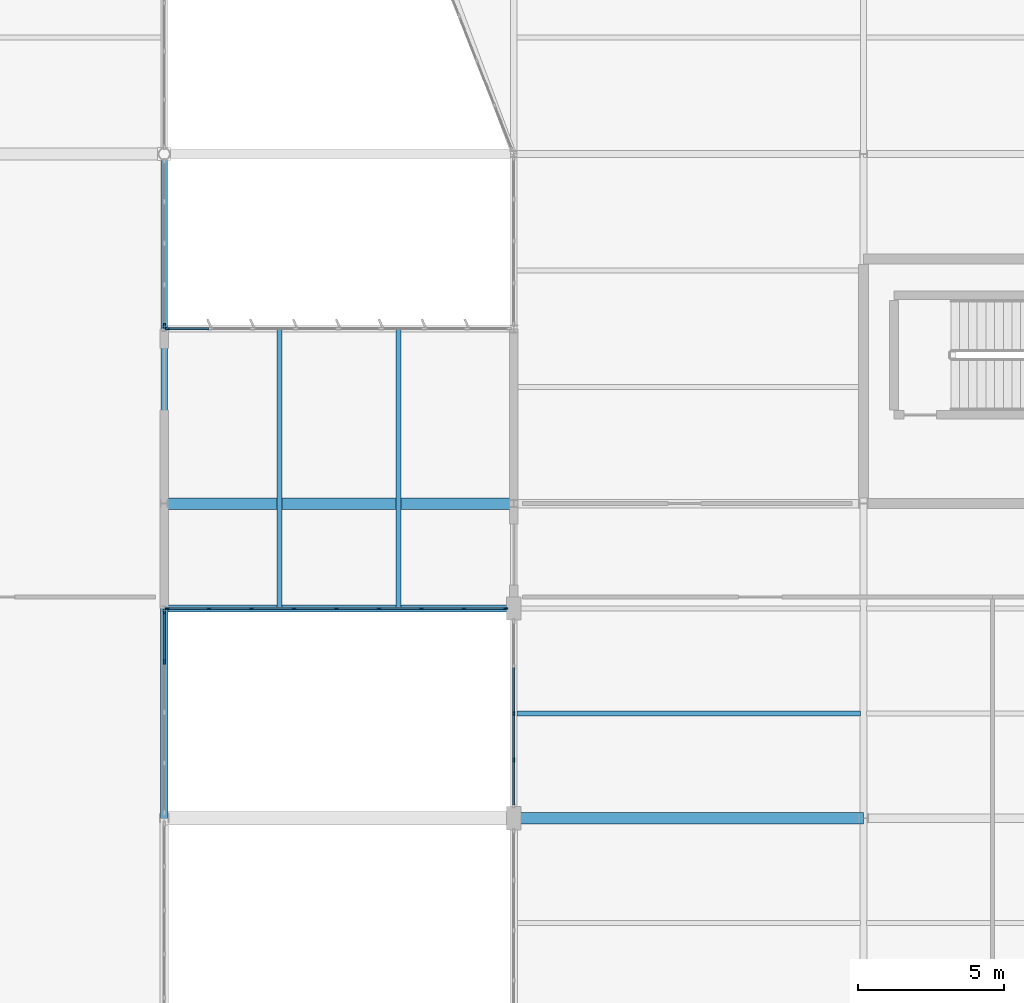
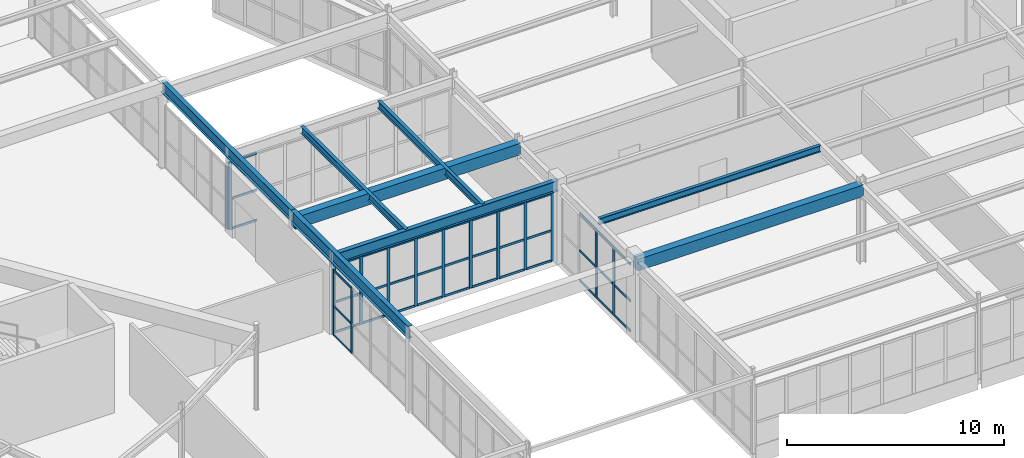
# One storey, part 86 of 186: 54 members, 8 beams, 5 elements without a shape of their own.
"""IFC4 building model written with IfcOpenShell, lengths in metres."""

from ifc_helpers import new_model, si_unit, direction, frame, origin, origin_2d, place, context, subcontext, project, spatial, rectangle, i_section, extrude, material, layer, layer_set, material_profile, profile_set, type_object, element, aggregate, save


model = new_model("IFC4")

# Units and contexts
model_context = context("Model", 3, precision=1e-05, world=origin(), true_north=direction((0.0, 1.0)))
body_context = subcontext(model_context, "Body", "Model", "MODEL_VIEW")
ifc_project = project(units=[si_unit("LENGTHUNIT", "METRE"), si_unit("AREAUNIT", "SQUARE_METRE"), si_unit("VOLUMEUNIT", "CUBIC_METRE"), si_unit("PLANEANGLEUNIT", "RADIAN"), si_unit("MASSUNIT", "GRAM", prefix="KILO")], contexts=[model_context])

# Site, building, storey
site_placement = place(None, origin())
site = spatial("IfcSite", under=ifc_project, at=site_placement, CompositionType="ELEMENT")
building_placement = place(site_placement, origin())
building = spatial("IfcBuilding", under=site, at=building_placement, Name="Tarnwether General Hospital", CompositionType="ELEMENT")
storey_placement = place(building_placement, frame((0.0, 0.0, 9.60009765625)))
storey = spatial("IfcBuildingStorey", under=building, at=storey_placement, Name="L02", CompositionType="ELEMENT", Elevation=9.60009765625)

# Beams
ifc_material_1 = material(Name="Steel Grade 350 (350 MPa)", Category="steel")
ifc_material_profile_1 = material_profile(ifc_material_1, i_section(OverallWidth=0.25, OverallDepth=0.69189453125, WebThickness=0.009033203125, FlangeThickness=0.01611328125, at=origin_2d()), Name="700WB115")
ifc_profile_set_1 = profile_set([ifc_material_profile_1], Name="Steel Grade 350 (350 MPa)")
beam_type_1 = type_object("IfcBeamType", Name="BM-G02", PredefinedType="BEAM", material=ifc_profile_set_1)
beam_1_placement = place(storey_placement, frame((132.0, 10.800048828125, 4.453857421875), z_axis=(0.0, 1.0, 0.0), x_axis=(-1.0, 0.0, 0.0)))
element("IfcBeam", 1, at=beam_1_placement, inside=storey, type_object=beam_type_1, Name="Primary Girder BMG-L02-13200_1080-13200_2160-1552", PredefinedType="BEAM", context=body_context, shape_type="SweptSolid", body=[
    extrude(i_section(OverallWidth=0.25, OverallDepth=0.69189453125, WebThickness=0.009033203125, FlangeThickness=0.01611328125, at=origin_2d()), origin(), (0.0, 0.0, 1.0), 10.800048828125),
])
ifc_material_2 = material(Name="Steel Grade 350 (350 MPa)", Category="steel")
ifc_material_profile_2 = material_profile(ifc_material_2, i_section(OverallWidth=0.22900390625, OverallDepth=0.612060546875, WebThickness=0.011962890625, FlangeThickness=0.01953125, at=origin_2d()), Name="610UB125")
ifc_profile_set_2 = profile_set([ifc_material_profile_2], Name="Steel Grade 350 (350 MPa)")
beam_type_2 = type_object("IfcBeamType", Name="BM-G03", PredefinedType="BEAM", material=ifc_profile_set_2)
for number, where, z_axis, x_axis, name in (
    (2, (132.0, 21.60009765625, 4.493896484375), (0.0, 1.0, 0.0), (-1.0, 0.0, 0.0), "Primary Girder BMG-L02-13200_2160-13200_3360-1554"),
    (3, (132.0, 18.0, 4.183837890625), (1.0, 0.0, 0.0), (0.0, 1.0, 0.0), "Court Link Bridge Girder South BMG-L02-13200_1800-14400_1800-1870"),
):
    element("IfcBeam", number, at=place(storey_placement, frame(where, z_axis=z_axis, x_axis=x_axis)), inside=storey, type_object=beam_type_2, Name=name, PredefinedType="BEAM", context=body_context, shape_type="SweptSolid", body=[
        extrude(i_section(OverallWidth=0.22900390625, OverallDepth=0.612060546875, WebThickness=0.011962890625, FlangeThickness=0.01953125, at=origin_2d()), origin(), (0.0, 0.0, 1.0), 12.0),
    ])
ifc_material_3 = material(Name="Concrete 40 MPa", Category="concrete")
ifc_material_profile_3 = material_profile(ifc_material_3, rectangle(XDim=0.39990234375, YDim=0.64990234375, at=origin_2d()), Name="RC-BM-400x650")
ifc_profile_set_3 = profile_set([ifc_material_profile_3], Name="Concrete 40 MPa")
beam_type_3 = type_object("IfcBeamType", Name="BM-G14", PredefinedType="BEAM", material=ifc_profile_set_3)
for number, where, z_axis, x_axis, name in (
    (4, (132.0, 21.60009765625, 4.119873046875), (1.0, 0.0, 0.0), (0.0, 1.0, 0.0), "Primary Girder BMG-L02-13200_2160-14400_2160-1553"),
    (5, (144.0, 10.800048828125, 4.119873046875), (1.0, 0.0, 0.0), (0.0, 1.0, 0.0), "Primary Girder BMG-L02-14400_1080-15600_1080-1569"),
):
    element("IfcBeam", number, at=place(storey_placement, frame(where, z_axis=z_axis, x_axis=x_axis)), inside=storey, type_object=beam_type_3, Name=name, PredefinedType="BEAM", context=body_context, shape_type="SweptSolid", body=[
        extrude(rectangle(XDim=0.39990234375, YDim=0.64990234375, at=origin_2d()), origin(), (0.0, 0.0, 1.0), 12.0),
    ])
ifc_material_4 = material(Name="Steel Grade 350 (350 MPa)", Category="steel")
ifc_material_profile_4 = material_profile(ifc_material_4, i_section(OverallWidth=0.177978515625, OverallDepth=0.403076171875, WebThickness=0.007568359375, FlangeThickness=0.010986328125, at=origin_2d()), Name="410UB53.7")
ifc_profile_set_4 = profile_set([ifc_material_profile_4], Name="Steel Grade 350 (350 MPa)")
beam_type_4 = type_object("IfcBeamType", Name="BM-J02", PredefinedType="JOIST", material=ifc_profile_set_4)
for number, where, z_axis, x_axis, name in (
    (6, (135.9599609375, 18.0, 4.288330078125), (0.0, 1.0, 0.0), (-1.0, 0.0, 0.0), "Court Link Bridge Cross Beam South BMG-L02-13596_1800-13596_2760-1872"),
    (7, (140.0400390625, 18.0, 4.288330078125), (0.0, 1.0, 0.0), (-1.0, 0.0, 0.0), "Court Link Bridge Cross Beam South BMG-L02-14004_1800-14004_2760-1873"),
):
    element("IfcBeam", number, at=place(storey_placement, frame(where, z_axis=z_axis, x_axis=x_axis)), inside=storey, type_object=beam_type_4, Name=name, PredefinedType="JOIST", context=body_context, shape_type="SweptSolid", body=[
        extrude(i_section(OverallWidth=0.177978515625, OverallDepth=0.403076171875, WebThickness=0.007568359375, FlangeThickness=0.010986328125, at=origin_2d()), origin(), (0.0, 0.0, 1.0), 9.60009765625),
    ])
ifc_material_5 = material(Name="Steel Grade 350 (350 MPa)", Category="steel")
ifc_material_profile_5 = material_profile(ifc_material_5, i_section(OverallWidth=0.172119140625, OverallDepth=0.35888671875, WebThickness=0.008056640625, FlangeThickness=0.012939453125, at=origin_2d()), Name="360UB56.7")
ifc_profile_set_5 = profile_set([ifc_material_profile_5], Name="Steel Grade 350 (350 MPa)")
beam_type_5 = type_object("IfcBeamType", Name="BM-J03", PredefinedType="JOIST", material=ifc_profile_set_5)
beam_2_placement = place(storey_placement, frame((144.10791015625, 14.39990234375, 4.265380859375), z_axis=(1.0, 0.0, 0.0), x_axis=(0.0, 1.0, 0.0)))
element("IfcBeam", 8, at=beam_2_placement, inside=storey, type_object=beam_type_5, Name="Composite Floor Joist BMG-L02-14411_1440-15589_1440-1708", PredefinedType="JOIST", context=body_context, shape_type="SweptSolid", body=[
    extrude(i_section(OverallWidth=0.172119140625, OverallDepth=0.35888671875, WebThickness=0.008056640625, FlangeThickness=0.012939453125, at=origin_2d()), origin(), (0.0, 0.0, 1.0), 11.7841796875),
])

# Curtain wall, members
ifc_material_6 = material(Name="Anodised aluminium", Category="aluminium")
ifc_layer_1 = layer(ifc_material_6, 0.159912109375)
ifc_layer_set_1 = layer_set([ifc_layer_1], Name="Anodised aluminium")
curtain_wall_type_1 = type_object("IfcCurtainWallType", Name="CW-15", PredefinedType="NOTDEFINED", material=ifc_layer_set_1)
curtain_wall_1_placement = place(storey_placement, origin())
curtain_wall_1 = element("IfcCurtainWall", 9, at=curtain_wall_1_placement, inside=storey, type_object=curtain_wall_type_1, Name="Curtain Wall CWG-L02-1320_179-0434", PredefinedType="NOTDEFINED")
ifc_material_7 = material(Name="Anodised aluminium", Category="aluminium")
ifc_material_profile_6 = material_profile(ifc_material_7, rectangle(XDim=0.06005859375, YDim=0.159912109375, at=origin_2d()), Name="ALU-MUL-60x160")
ifc_profile_set_6 = profile_set([ifc_material_profile_6], Name="Anodised aluminium")
member_type_1 = type_object("IfcMemberType", Name="CW-ML1", PredefinedType="MULLION", material=ifc_profile_set_6)
member_1_placement = place(storey_placement, frame((132.0, 17.883056640625, 0.0), z_axis=(0.0, 0.0, 1.0), x_axis=(1.0, 0.0, 0.0)))
member_1 = element("IfcMember", 10, at=member_1_placement, type_object=member_type_1, Name="CW-15 mullion 1", PredefinedType="MULLION", context=body_context, shape_type="SweptSolid", body=[
    extrude(rectangle(XDim=0.06005859375, YDim=0.159912109375, at=origin_2d()), origin(), (0.0, 0.0, 1.0), 3.679931640625),
])
member_2_placement = place(storey_placement, frame((132.0, 16.1748046875, 0.0), z_axis=(0.0, 0.0, 1.0), x_axis=(1.0, 0.0, 0.0)))
member_2 = element("IfcMember", 11, at=member_2_placement, type_object=member_type_1, Name="CW-15 mullion 2", PredefinedType="MULLION", context=body_context, shape_type="SweptSolid", body=[
    extrude(rectangle(XDim=0.06005859375, YDim=0.159912109375, at=origin_2d()), origin(), (0.0, 0.0, 1.0), 3.679931640625),
])

curtain_wall_2_placement = place(storey_placement, origin())
curtain_wall_2 = element("IfcCurtainWall", 12, at=curtain_wall_2_placement, inside=storey, type_object=curtain_wall_type_1, Name="Curtain Wall CWG-L02-1440_112-0437", PredefinedType="NOTDEFINED")
member_3_placement = place(storey_placement, frame((144.0, 12.803955078125, 0.0), z_axis=(0.0, 0.0, 1.0), x_axis=(-1.0, 0.0, 0.0)))
member_3 = element("IfcMember", 13, at=member_3_placement, type_object=member_type_1, Name="CW-15 mullion 2", PredefinedType="MULLION", context=body_context, shape_type="SweptSolid", body=[
    extrude(rectangle(XDim=0.06005859375, YDim=0.159912109375, at=origin_2d()), origin(), (0.0, 0.0, 1.0), 3.81787109375),
])
member_4_placement = place(storey_placement, frame((144.0, 14.39990234375, 0.0), z_axis=(0.0, 0.0, 1.0), x_axis=(-1.0, 0.0, 0.0)))
member_4 = element("IfcMember", 14, at=member_4_placement, type_object=member_type_1, Name="CW-15 mullion 3", PredefinedType="MULLION", context=body_context, shape_type="SweptSolid", body=[
    extrude(rectangle(XDim=0.06005859375, YDim=0.159912109375, at=origin_2d()), origin(), (0.0, 0.0, 1.0), 3.81787109375),
])

# Curtain wall, member
curtain_wall_3_placement = place(storey_placement, origin())
curtain_wall_3 = element("IfcCurtainWall", 15, at=curtain_wall_3_placement, inside=storey, type_object=curtain_wall_type_1, Name="Curtain Wall CWG-L02-1320_334-0439", PredefinedType="NOTDEFINED")
member_5_placement = place(storey_placement, frame((132.0, 27.714111328125, 0.0), z_axis=(0.0, 0.0, 1.0), x_axis=(1.0, 0.0, 0.0)))
member_5 = element("IfcMember", 16, at=member_5_placement, type_object=member_type_1, Name="CW-15 mullion 5", PredefinedType="MULLION", context=body_context, shape_type="SweptSolid", body=[
    extrude(rectangle(XDim=0.06005859375, YDim=0.159912109375, at=origin_2d()), origin(), (0.0, 0.0, 1.0), 3.52978515625),
])
aggregate(curtain_wall_3, [member_5])

ifc_material_8 = material(Name="Anodised aluminium", Category="aluminium")
ifc_layer_2 = layer(ifc_material_8, 0.159912109375)
ifc_layer_set_2 = layer_set([ifc_layer_2], Name="Anodised aluminium")
curtain_wall_type_2 = type_object("IfcCurtainWallType", Name="CW-21", PredefinedType="NOTDEFINED", material=ifc_layer_set_2)
curtain_wall_4_placement = place(storey_placement, origin())
curtain_wall_4 = element("IfcCurtainWall", 17, at=curtain_wall_4_placement, inside=storey, type_object=curtain_wall_type_2, Name="Curtain Wall CWG-L02-1321_276-0472", PredefinedType="NOTDEFINED")
member_6_placement = place(storey_placement, frame((132.114013671875, 27.60009765625, 0.0), z_axis=(0.0, 0.0, 1.0), x_axis=(0.0, 1.0, 0.0)))
member_6 = element("IfcMember", 18, at=member_6_placement, type_object=member_type_1, Name="CW-21 mullion 1", PredefinedType="MULLION", context=body_context, shape_type="SweptSolid", body=[
    extrude(rectangle(XDim=0.06005859375, YDim=0.159912109375, at=origin_2d()), origin(), (0.0, 0.0, 1.0), 3.822998046875),
])

# Curtain wall, members
ifc_material_9 = material(Name="Anodised aluminium", Category="aluminium")
ifc_layer_3 = layer(ifc_material_9, 0.159912109375)
ifc_layer_set_3 = layer_set([ifc_layer_3], Name="Anodised aluminium")
curtain_wall_type_3 = type_object("IfcCurtainWallType", Name="CW-22", PredefinedType="NOTDEFINED", material=ifc_layer_set_3)
curtain_wall_5_placement = place(storey_placement, origin())
curtain_wall_5 = element("IfcCurtainWall", 19, at=curtain_wall_5_placement, inside=storey, type_object=curtain_wall_type_3, Name="Curtain Wall CWG-L02-1437_180-0473", PredefinedType="NOTDEFINED")
member_7_placement = place(storey_placement, frame((143.7119140625, 18.0, 0.0), z_axis=(0.0, 0.0, 1.0), x_axis=(0.0, -1.0, 0.0)))
member_7 = element("IfcMember", 20, at=member_7_placement, type_object=member_type_1, Name="CW-22 mullion 1", PredefinedType="MULLION", context=body_context, shape_type="SweptSolid", body=[
    extrude(rectangle(XDim=0.06005859375, YDim=0.159912109375, at=origin_2d()), origin(), (0.0, 0.0, 1.0), 3.81787109375),
])
member_8_placement = place(storey_placement, frame((142.28466796875, 18.0, 0.0), z_axis=(0.0, 0.0, 1.0), x_axis=(0.0, -1.0, 0.0)))
member_8 = element("IfcMember", 21, at=member_8_placement, type_object=member_type_1, Name="CW-22 mullion 2", PredefinedType="MULLION", context=body_context, shape_type="SweptSolid", body=[
    extrude(rectangle(XDim=0.06005859375, YDim=0.159912109375, at=origin_2d()), origin(), (0.0, 0.0, 1.0), 3.81787109375),
])
member_9_placement = place(storey_placement, frame((140.827392578125, 18.0, 0.0), z_axis=(0.0, 0.0, 1.0), x_axis=(0.0, -1.0, 0.0)))
member_9 = element("IfcMember", 22, at=member_9_placement, type_object=member_type_1, Name="CW-22 mullion 3", PredefinedType="MULLION", context=body_context, shape_type="SweptSolid", body=[
    extrude(rectangle(XDim=0.06005859375, YDim=0.159912109375, at=origin_2d()), origin(), (0.0, 0.0, 1.0), 3.81787109375),
])
member_10_placement = place(storey_placement, frame((139.370361328125, 18.0, 0.0), z_axis=(0.0, 0.0, 1.0), x_axis=(0.0, -1.0, 0.0)))
member_10 = element("IfcMember", 23, at=member_10_placement, type_object=member_type_1, Name="CW-22 mullion 4", PredefinedType="MULLION", context=body_context, shape_type="SweptSolid", body=[
    extrude(rectangle(XDim=0.06005859375, YDim=0.159912109375, at=origin_2d()), origin(), (0.0, 0.0, 1.0), 3.81787109375),
])
member_11_placement = place(storey_placement, frame((137.9130859375, 18.0, 0.0), z_axis=(0.0, 0.0, 1.0), x_axis=(0.0, -1.0, 0.0)))
member_11 = element("IfcMember", 24, at=member_11_placement, type_object=member_type_1, Name="CW-22 mullion 5", PredefinedType="MULLION", context=body_context, shape_type="SweptSolid", body=[
    extrude(rectangle(XDim=0.06005859375, YDim=0.159912109375, at=origin_2d()), origin(), (0.0, 0.0, 1.0), 3.81787109375),
])
member_12_placement = place(storey_placement, frame((136.455810546875, 18.0, 0.0), z_axis=(0.0, 0.0, 1.0), x_axis=(0.0, -1.0, 0.0)))
member_12 = element("IfcMember", 25, at=member_12_placement, type_object=member_type_1, Name="CW-22 mullion 6", PredefinedType="MULLION", context=body_context, shape_type="SweptSolid", body=[
    extrude(rectangle(XDim=0.06005859375, YDim=0.159912109375, at=origin_2d()), origin(), (0.0, 0.0, 1.0), 3.81787109375),
])
member_13_placement = place(storey_placement, frame((134.99853515625, 18.0, 0.0), z_axis=(0.0, 0.0, 1.0), x_axis=(0.0, -1.0, 0.0)))
member_13 = element("IfcMember", 26, at=member_13_placement, type_object=member_type_1, Name="CW-22 mullion 7", PredefinedType="MULLION", context=body_context, shape_type="SweptSolid", body=[
    extrude(rectangle(XDim=0.06005859375, YDim=0.159912109375, at=origin_2d()), origin(), (0.0, 0.0, 1.0), 3.81787109375),
])
member_14_placement = place(storey_placement, frame((133.541259765625, 18.0, 0.0), z_axis=(0.0, 0.0, 1.0), x_axis=(0.0, -1.0, 0.0)))
member_14 = element("IfcMember", 27, at=member_14_placement, type_object=member_type_1, Name="CW-22 mullion 8", PredefinedType="MULLION", context=body_context, shape_type="SweptSolid", body=[
    extrude(rectangle(XDim=0.06005859375, YDim=0.159912109375, at=origin_2d()), origin(), (0.0, 0.0, 1.0), 3.81787109375),
])
member_15_placement = place(storey_placement, frame((132.114013671875, 18.0, 0.0), z_axis=(0.0, 0.0, 1.0), x_axis=(0.0, -1.0, 0.0)))
member_15 = element("IfcMember", 28, at=member_15_placement, type_object=member_type_1, Name="CW-22 mullion 9", PredefinedType="MULLION", context=body_context, shape_type="SweptSolid", body=[
    extrude(rectangle(XDim=0.06005859375, YDim=0.159912109375, at=origin_2d()), origin(), (0.0, 0.0, 1.0), 3.81787109375),
])

# Member
ifc_material_10 = material(Name="Anodised aluminium", Category="aluminium")
ifc_material_profile_7 = material_profile(ifc_material_10, rectangle(XDim=0.06005859375, YDim=0.1201171875, at=origin_2d()), Name="ALU-TRN-60x120")
ifc_profile_set_7 = profile_set([ifc_material_profile_7], Name="Anodised aluminium")
member_type_2 = type_object("IfcMemberType", Name="CW-TR1", PredefinedType="USERDEFINED", material=ifc_profile_set_7)
member_16_placement = place(storey_placement, frame((132.0, 17.85302734375, 0.02978515625), z_axis=(0.0, -1.0, 0.0), x_axis=(1.0, 0.0, 0.0)))
member_16 = element("IfcMember", 29, at=member_16_placement, type_object=member_type_2, Name="CW-15 transom 1.1", ObjectType="TRANSOM", PredefinedType="USERDEFINED", context=body_context, shape_type="SweptSolid", body=[
    extrude(rectangle(XDim=0.06005859375, YDim=0.1201171875, at=origin_2d()), origin(), (0.0, 0.0, 1.0), 1.648193359375),
])

member_17_placement = place(storey_placement, frame((132.0, 17.85302734375, 1.656005859375), z_axis=(0.0, -1.0, 0.0), x_axis=(1.0, 0.0, 0.0)))
member_17 = element("IfcMember", 30, at=member_17_placement, type_object=member_type_2, Name="CW-15 transom 1.2", ObjectType="TRANSOM", PredefinedType="USERDEFINED", context=body_context, shape_type="SweptSolid", body=[
    extrude(rectangle(XDim=0.06005859375, YDim=0.1201171875, at=origin_2d()), origin(), (0.0, 0.0, 1.0), 1.648193359375),
])

member_18_placement = place(storey_placement, frame((132.0, 17.85302734375, 3.64990234375), z_axis=(0.0, -1.0, 0.0), x_axis=(1.0, 0.0, 0.0)))
member_18 = element("IfcMember", 31, at=member_18_placement, type_object=member_type_2, Name="CW-15 transom 1.3", ObjectType="TRANSOM", PredefinedType="USERDEFINED", context=body_context, shape_type="SweptSolid", body=[
    extrude(rectangle(XDim=0.06005859375, YDim=0.1201171875, at=origin_2d()), origin(), (0.0, 0.0, 1.0), 1.648193359375),
])

aggregate(curtain_wall_1, [member_1, member_2, member_16, member_17, member_18])

member_19_placement = place(storey_placement, frame((144.0, 11.26806640625, 0.02978515625), z_axis=(0.0, 1.0, 0.0), x_axis=(-1.0, 0.0, 0.0)))
member_19 = element("IfcMember", 32, at=member_19_placement, type_object=member_type_2, Name="CW-15 transom 1.1", ObjectType="TRANSOM", PredefinedType="USERDEFINED", context=body_context, shape_type="SweptSolid", body=[
    extrude(rectangle(XDim=0.06005859375, YDim=0.1201171875, at=origin_2d()), origin(), (0.0, 0.0, 1.0), 1.505859375),
])

member_20_placement = place(storey_placement, frame((144.0, 11.26806640625, 1.718017578125), z_axis=(0.0, 1.0, 0.0), x_axis=(-1.0, 0.0, 0.0)))
member_20 = element("IfcMember", 33, at=member_20_placement, type_object=member_type_2, Name="CW-15 transom 1.2", ObjectType="TRANSOM", PredefinedType="USERDEFINED", context=body_context, shape_type="SweptSolid", body=[
    extrude(rectangle(XDim=0.06005859375, YDim=0.1201171875, at=origin_2d()), origin(), (0.0, 0.0, 1.0), 1.505859375),
])

member_21_placement = place(storey_placement, frame((144.0, 11.26806640625, 3.787841796875), z_axis=(0.0, 1.0, 0.0), x_axis=(-1.0, 0.0, 0.0)))
member_21 = element("IfcMember", 34, at=member_21_placement, type_object=member_type_2, Name="CW-15 transom 1.3", ObjectType="TRANSOM", PredefinedType="USERDEFINED", context=body_context, shape_type="SweptSolid", body=[
    extrude(rectangle(XDim=0.06005859375, YDim=0.1201171875, at=origin_2d()), origin(), (0.0, 0.0, 1.0), 1.505859375),
])

member_22_placement = place(storey_placement, frame((144.0, 12.833984375, 0.02978515625), z_axis=(0.0, 1.0, 0.0), x_axis=(-1.0, 0.0, 0.0)))
member_22 = element("IfcMember", 35, at=member_22_placement, type_object=member_type_2, Name="CW-15 transom 2.1", ObjectType="TRANSOM", PredefinedType="USERDEFINED", context=body_context, shape_type="SweptSolid", body=[
    extrude(rectangle(XDim=0.06005859375, YDim=0.1201171875, at=origin_2d()), origin(), (0.0, 0.0, 1.0), 1.5361328125),
])

member_23_placement = place(storey_placement, frame((144.0, 12.833984375, 1.718017578125), z_axis=(0.0, 1.0, 0.0), x_axis=(-1.0, 0.0, 0.0)))
member_23 = element("IfcMember", 36, at=member_23_placement, type_object=member_type_2, Name="CW-15 transom 2.2", ObjectType="TRANSOM", PredefinedType="USERDEFINED", context=body_context, shape_type="SweptSolid", body=[
    extrude(rectangle(XDim=0.06005859375, YDim=0.1201171875, at=origin_2d()), origin(), (0.0, 0.0, 1.0), 1.5361328125),
])

member_24_placement = place(storey_placement, frame((144.0, 12.833984375, 3.787841796875), z_axis=(0.0, 1.0, 0.0), x_axis=(-1.0, 0.0, 0.0)))
member_24 = element("IfcMember", 37, at=member_24_placement, type_object=member_type_2, Name="CW-15 transom 2.3", ObjectType="TRANSOM", PredefinedType="USERDEFINED", context=body_context, shape_type="SweptSolid", body=[
    extrude(rectangle(XDim=0.06005859375, YDim=0.1201171875, at=origin_2d()), origin(), (0.0, 0.0, 1.0), 1.5361328125),
])

member_25_placement = place(storey_placement, frame((144.0, 14.429931640625, 0.02978515625), z_axis=(0.0, 1.0, 0.0), x_axis=(-1.0, 0.0, 0.0)))
member_25 = element("IfcMember", 38, at=member_25_placement, type_object=member_type_2, Name="CW-15 transom 3.1", ObjectType="TRANSOM", PredefinedType="USERDEFINED", context=body_context, shape_type="SweptSolid", body=[
    extrude(rectangle(XDim=0.06005859375, YDim=0.1201171875, at=origin_2d()), origin(), (0.0, 0.0, 1.0), 1.5361328125),
])

member_26_placement = place(storey_placement, frame((144.0, 14.429931640625, 1.718017578125), z_axis=(0.0, 1.0, 0.0), x_axis=(-1.0, 0.0, 0.0)))
member_26 = element("IfcMember", 39, at=member_26_placement, type_object=member_type_2, Name="CW-15 transom 3.2", ObjectType="TRANSOM", PredefinedType="USERDEFINED", context=body_context, shape_type="SweptSolid", body=[
    extrude(rectangle(XDim=0.06005859375, YDim=0.1201171875, at=origin_2d()), origin(), (0.0, 0.0, 1.0), 1.5361328125),
])

member_27_placement = place(storey_placement, frame((144.0, 14.429931640625, 3.787841796875), z_axis=(0.0, 1.0, 0.0), x_axis=(-1.0, 0.0, 0.0)))
member_27 = element("IfcMember", 40, at=member_27_placement, type_object=member_type_2, Name="CW-15 transom 3.3", ObjectType="TRANSOM", PredefinedType="USERDEFINED", context=body_context, shape_type="SweptSolid", body=[
    extrude(rectangle(XDim=0.06005859375, YDim=0.1201171875, at=origin_2d()), origin(), (0.0, 0.0, 1.0), 1.5361328125),
])

aggregate(curtain_wall_2, [member_3, member_4, member_19, member_20, member_21, member_22, member_23, member_24, member_25, member_26, member_27])

member_28_placement = place(storey_placement, frame((132.14404296875, 27.60009765625, 0.02978515625), z_axis=(1.0, 0.0, 0.0), x_axis=(0.0, 1.0, 0.0)))
member_28 = element("IfcMember", 41, at=member_28_placement, type_object=member_type_2, Name="CW-21 transom 1.1", ObjectType="TRANSOM", PredefinedType="USERDEFINED", context=body_context, shape_type="SweptSolid", body=[
    extrude(rectangle(XDim=0.06005859375, YDim=0.1201171875, at=origin_2d()), origin(), (0.0, 0.0, 1.0), 1.382568359375),
])

member_29_placement = place(storey_placement, frame((132.14404296875, 27.60009765625, 1.72021484375), z_axis=(1.0, 0.0, 0.0), x_axis=(0.0, 1.0, 0.0)))
member_29 = element("IfcMember", 42, at=member_29_placement, type_object=member_type_2, Name="CW-21 transom 1.2", ObjectType="TRANSOM", PredefinedType="USERDEFINED", context=body_context, shape_type="SweptSolid", body=[
    extrude(rectangle(XDim=0.06005859375, YDim=0.1201171875, at=origin_2d()), origin(), (0.0, 0.0, 1.0), 1.382568359375),
])

member_30_placement = place(storey_placement, frame((132.14404296875, 27.60009765625, 3.79296875), z_axis=(1.0, 0.0, 0.0), x_axis=(0.0, 1.0, 0.0)))
member_30 = element("IfcMember", 43, at=member_30_placement, type_object=member_type_2, Name="CW-21 transom 1.3", ObjectType="TRANSOM", PredefinedType="USERDEFINED", context=body_context, shape_type="SweptSolid", body=[
    extrude(rectangle(XDim=0.06005859375, YDim=0.1201171875, at=origin_2d()), origin(), (0.0, 0.0, 1.0), 1.382568359375),
])

aggregate(curtain_wall_4, [member_6, member_28, member_29, member_30])

member_31_placement = place(storey_placement, frame((143.681884765625, 18.0, 0.02978515625), z_axis=(-1.0, 0.0, 0.0), x_axis=(0.0, -1.0, 0.0)))
member_31 = element("IfcMember", 44, at=member_31_placement, type_object=member_type_2, Name="CW-22 transom 1.1", ObjectType="TRANSOM", PredefinedType="USERDEFINED", context=body_context, shape_type="SweptSolid", body=[
    extrude(rectangle(XDim=0.06005859375, YDim=0.1201171875, at=origin_2d()), origin(), (0.0, 0.0, 1.0), 1.3671875),
])

member_32_placement = place(storey_placement, frame((143.681884765625, 18.0, 1.718017578125), z_axis=(-1.0, 0.0, 0.0), x_axis=(0.0, -1.0, 0.0)))
member_32 = element("IfcMember", 45, at=member_32_placement, type_object=member_type_2, Name="CW-22 transom 1.2", ObjectType="TRANSOM", PredefinedType="USERDEFINED", context=body_context, shape_type="SweptSolid", body=[
    extrude(rectangle(XDim=0.06005859375, YDim=0.1201171875, at=origin_2d()), origin(), (0.0, 0.0, 1.0), 1.3671875),
])

member_33_placement = place(storey_placement, frame((143.681884765625, 18.0, 3.787841796875), z_axis=(-1.0, 0.0, 0.0), x_axis=(0.0, -1.0, 0.0)))
member_33 = element("IfcMember", 46, at=member_33_placement, type_object=member_type_2, Name="CW-22 transom 1.3", ObjectType="TRANSOM", PredefinedType="USERDEFINED", context=body_context, shape_type="SweptSolid", body=[
    extrude(rectangle(XDim=0.06005859375, YDim=0.1201171875, at=origin_2d()), origin(), (0.0, 0.0, 1.0), 1.3671875),
])

member_34_placement = place(storey_placement, frame((142.254638671875, 18.0, 0.02978515625), z_axis=(-1.0, 0.0, 0.0), x_axis=(0.0, -1.0, 0.0)))
member_34 = element("IfcMember", 47, at=member_34_placement, type_object=member_type_2, Name="CW-22 transom 2.1", ObjectType="TRANSOM", PredefinedType="USERDEFINED", context=body_context, shape_type="SweptSolid", body=[
    extrude(rectangle(XDim=0.06005859375, YDim=0.1201171875, at=origin_2d()), origin(), (0.0, 0.0, 1.0), 1.397216796875),
])

member_35_placement = place(storey_placement, frame((142.254638671875, 18.0, 1.718017578125), z_axis=(-1.0, 0.0, 0.0), x_axis=(0.0, -1.0, 0.0)))
member_35 = element("IfcMember", 48, at=member_35_placement, type_object=member_type_2, Name="CW-22 transom 2.2", ObjectType="TRANSOM", PredefinedType="USERDEFINED", context=body_context, shape_type="SweptSolid", body=[
    extrude(rectangle(XDim=0.06005859375, YDim=0.1201171875, at=origin_2d()), origin(), (0.0, 0.0, 1.0), 1.397216796875),
])

member_36_placement = place(storey_placement, frame((142.254638671875, 18.0, 3.787841796875), z_axis=(-1.0, 0.0, 0.0), x_axis=(0.0, -1.0, 0.0)))
member_36 = element("IfcMember", 49, at=member_36_placement, type_object=member_type_2, Name="CW-22 transom 2.3", ObjectType="TRANSOM", PredefinedType="USERDEFINED", context=body_context, shape_type="SweptSolid", body=[
    extrude(rectangle(XDim=0.06005859375, YDim=0.1201171875, at=origin_2d()), origin(), (0.0, 0.0, 1.0), 1.397216796875),
])

member_37_placement = place(storey_placement, frame((140.797607421875, 18.0, 0.02978515625), z_axis=(-1.0, 0.0, 0.0), x_axis=(0.0, -1.0, 0.0)))
member_37 = element("IfcMember", 50, at=member_37_placement, type_object=member_type_2, Name="CW-22 transom 3.1", ObjectType="TRANSOM", PredefinedType="USERDEFINED", context=body_context, shape_type="SweptSolid", body=[
    extrude(rectangle(XDim=0.06005859375, YDim=0.1201171875, at=origin_2d()), origin(), (0.0, 0.0, 1.0), 1.3974609375),
])

member_38_placement = place(storey_placement, frame((140.797607421875, 18.0, 1.718017578125), z_axis=(-1.0, 0.0, 0.0), x_axis=(0.0, -1.0, 0.0)))
member_38 = element("IfcMember", 51, at=member_38_placement, type_object=member_type_2, Name="CW-22 transom 3.2", ObjectType="TRANSOM", PredefinedType="USERDEFINED", context=body_context, shape_type="SweptSolid", body=[
    extrude(rectangle(XDim=0.06005859375, YDim=0.1201171875, at=origin_2d()), origin(), (0.0, 0.0, 1.0), 1.3974609375),
])

member_39_placement = place(storey_placement, frame((140.797607421875, 18.0, 3.787841796875), z_axis=(-1.0, 0.0, 0.0), x_axis=(0.0, -1.0, 0.0)))
member_39 = element("IfcMember", 52, at=member_39_placement, type_object=member_type_2, Name="CW-22 transom 3.3", ObjectType="TRANSOM", PredefinedType="USERDEFINED", context=body_context, shape_type="SweptSolid", body=[
    extrude(rectangle(XDim=0.06005859375, YDim=0.1201171875, at=origin_2d()), origin(), (0.0, 0.0, 1.0), 1.3974609375),
])

member_40_placement = place(storey_placement, frame((139.34033203125, 18.0, 0.02978515625), z_axis=(-1.0, 0.0, 0.0), x_axis=(0.0, -1.0, 0.0)))
member_40 = element("IfcMember", 53, at=member_40_placement, type_object=member_type_2, Name="CW-22 transom 4.1", ObjectType="TRANSOM", PredefinedType="USERDEFINED", context=body_context, shape_type="SweptSolid", body=[
    extrude(rectangle(XDim=0.06005859375, YDim=0.1201171875, at=origin_2d()), origin(), (0.0, 0.0, 1.0), 1.397216796875),
])

member_41_placement = place(storey_placement, frame((139.34033203125, 18.0, 1.718017578125), z_axis=(-1.0, 0.0, 0.0), x_axis=(0.0, -1.0, 0.0)))
member_41 = element("IfcMember", 54, at=member_41_placement, type_object=member_type_2, Name="CW-22 transom 4.2", ObjectType="TRANSOM", PredefinedType="USERDEFINED", context=body_context, shape_type="SweptSolid", body=[
    extrude(rectangle(XDim=0.06005859375, YDim=0.1201171875, at=origin_2d()), origin(), (0.0, 0.0, 1.0), 1.397216796875),
])

member_42_placement = place(storey_placement, frame((139.34033203125, 18.0, 3.787841796875), z_axis=(-1.0, 0.0, 0.0), x_axis=(0.0, -1.0, 0.0)))
member_42 = element("IfcMember", 55, at=member_42_placement, type_object=member_type_2, Name="CW-22 transom 4.3", ObjectType="TRANSOM", PredefinedType="USERDEFINED", context=body_context, shape_type="SweptSolid", body=[
    extrude(rectangle(XDim=0.06005859375, YDim=0.1201171875, at=origin_2d()), origin(), (0.0, 0.0, 1.0), 1.397216796875),
])

member_43_placement = place(storey_placement, frame((137.883056640625, 18.0, 0.02978515625), z_axis=(-1.0, 0.0, 0.0), x_axis=(0.0, -1.0, 0.0)))
member_43 = element("IfcMember", 56, at=member_43_placement, type_object=member_type_2, Name="CW-22 transom 5.1", ObjectType="TRANSOM", PredefinedType="USERDEFINED", context=body_context, shape_type="SweptSolid", body=[
    extrude(rectangle(XDim=0.06005859375, YDim=0.1201171875, at=origin_2d()), origin(), (0.0, 0.0, 1.0), 1.397216796875),
])

member_44_placement = place(storey_placement, frame((137.883056640625, 18.0, 1.718017578125), z_axis=(-1.0, 0.0, 0.0), x_axis=(0.0, -1.0, 0.0)))
member_44 = element("IfcMember", 57, at=member_44_placement, type_object=member_type_2, Name="CW-22 transom 5.2", ObjectType="TRANSOM", PredefinedType="USERDEFINED", context=body_context, shape_type="SweptSolid", body=[
    extrude(rectangle(XDim=0.06005859375, YDim=0.1201171875, at=origin_2d()), origin(), (0.0, 0.0, 1.0), 1.397216796875),
])

member_45_placement = place(storey_placement, frame((137.883056640625, 18.0, 3.787841796875), z_axis=(-1.0, 0.0, 0.0), x_axis=(0.0, -1.0, 0.0)))
member_45 = element("IfcMember", 58, at=member_45_placement, type_object=member_type_2, Name="CW-22 transom 5.3", ObjectType="TRANSOM", PredefinedType="USERDEFINED", context=body_context, shape_type="SweptSolid", body=[
    extrude(rectangle(XDim=0.06005859375, YDim=0.1201171875, at=origin_2d()), origin(), (0.0, 0.0, 1.0), 1.397216796875),
])

member_46_placement = place(storey_placement, frame((136.42578125, 18.0, 0.02978515625), z_axis=(-1.0, 0.0, 0.0), x_axis=(0.0, -1.0, 0.0)))
member_46 = element("IfcMember", 59, at=member_46_placement, type_object=member_type_2, Name="CW-22 transom 6.1", ObjectType="TRANSOM", PredefinedType="USERDEFINED", context=body_context, shape_type="SweptSolid", body=[
    extrude(rectangle(XDim=0.06005859375, YDim=0.1201171875, at=origin_2d()), origin(), (0.0, 0.0, 1.0), 1.397216796875),
])

member_47_placement = place(storey_placement, frame((136.42578125, 18.0, 1.718017578125), z_axis=(-1.0, 0.0, 0.0), x_axis=(0.0, -1.0, 0.0)))
member_47 = element("IfcMember", 60, at=member_47_placement, type_object=member_type_2, Name="CW-22 transom 6.2", ObjectType="TRANSOM", PredefinedType="USERDEFINED", context=body_context, shape_type="SweptSolid", body=[
    extrude(rectangle(XDim=0.06005859375, YDim=0.1201171875, at=origin_2d()), origin(), (0.0, 0.0, 1.0), 1.397216796875),
])

member_48_placement = place(storey_placement, frame((136.42578125, 18.0, 3.787841796875), z_axis=(-1.0, 0.0, 0.0), x_axis=(0.0, -1.0, 0.0)))
member_48 = element("IfcMember", 61, at=member_48_placement, type_object=member_type_2, Name="CW-22 transom 6.3", ObjectType="TRANSOM", PredefinedType="USERDEFINED", context=body_context, shape_type="SweptSolid", body=[
    extrude(rectangle(XDim=0.06005859375, YDim=0.1201171875, at=origin_2d()), origin(), (0.0, 0.0, 1.0), 1.397216796875),
])

member_49_placement = place(storey_placement, frame((134.968505859375, 18.0, 0.02978515625), z_axis=(-1.0, 0.0, 0.0), x_axis=(0.0, -1.0, 0.0)))
member_49 = element("IfcMember", 62, at=member_49_placement, type_object=member_type_2, Name="CW-22 transom 7.1", ObjectType="TRANSOM", PredefinedType="USERDEFINED", context=body_context, shape_type="SweptSolid", body=[
    extrude(rectangle(XDim=0.06005859375, YDim=0.1201171875, at=origin_2d()), origin(), (0.0, 0.0, 1.0), 1.397216796875),
])

member_50_placement = place(storey_placement, frame((134.968505859375, 18.0, 1.718017578125), z_axis=(-1.0, 0.0, 0.0), x_axis=(0.0, -1.0, 0.0)))
member_50 = element("IfcMember", 63, at=member_50_placement, type_object=member_type_2, Name="CW-22 transom 7.2", ObjectType="TRANSOM", PredefinedType="USERDEFINED", context=body_context, shape_type="SweptSolid", body=[
    extrude(rectangle(XDim=0.06005859375, YDim=0.1201171875, at=origin_2d()), origin(), (0.0, 0.0, 1.0), 1.397216796875),
])

member_51_placement = place(storey_placement, frame((134.968505859375, 18.0, 3.787841796875), z_axis=(-1.0, 0.0, 0.0), x_axis=(0.0, -1.0, 0.0)))
member_51 = element("IfcMember", 64, at=member_51_placement, type_object=member_type_2, Name="CW-22 transom 7.3", ObjectType="TRANSOM", PredefinedType="USERDEFINED", context=body_context, shape_type="SweptSolid", body=[
    extrude(rectangle(XDim=0.06005859375, YDim=0.1201171875, at=origin_2d()), origin(), (0.0, 0.0, 1.0), 1.397216796875),
])

member_52_placement = place(storey_placement, frame((133.51123046875, 18.0, 0.02978515625), z_axis=(-1.0, 0.0, 0.0), x_axis=(0.0, -1.0, 0.0)))
member_52 = element("IfcMember", 65, at=member_52_placement, type_object=member_type_2, Name="CW-22 transom 8.1", ObjectType="TRANSOM", PredefinedType="USERDEFINED", context=body_context, shape_type="SweptSolid", body=[
    extrude(rectangle(XDim=0.06005859375, YDim=0.1201171875, at=origin_2d()), origin(), (0.0, 0.0, 1.0), 1.3671875),
])

member_53_placement = place(storey_placement, frame((133.51123046875, 18.0, 1.718017578125), z_axis=(-1.0, 0.0, 0.0), x_axis=(0.0, -1.0, 0.0)))
member_53 = element("IfcMember", 66, at=member_53_placement, type_object=member_type_2, Name="CW-22 transom 8.2", ObjectType="TRANSOM", PredefinedType="USERDEFINED", context=body_context, shape_type="SweptSolid", body=[
    extrude(rectangle(XDim=0.06005859375, YDim=0.1201171875, at=origin_2d()), origin(), (0.0, 0.0, 1.0), 1.3671875),
])

member_54_placement = place(storey_placement, frame((133.51123046875, 18.0, 3.787841796875), z_axis=(-1.0, 0.0, 0.0), x_axis=(0.0, -1.0, 0.0)))
member_54 = element("IfcMember", 67, at=member_54_placement, type_object=member_type_2, Name="CW-22 transom 8.3", ObjectType="TRANSOM", PredefinedType="USERDEFINED", context=body_context, shape_type="SweptSolid", body=[
    extrude(rectangle(XDim=0.06005859375, YDim=0.1201171875, at=origin_2d()), origin(), (0.0, 0.0, 1.0), 1.3671875),
])

aggregate(curtain_wall_5, [member_7, member_8, member_9, member_10, member_11, member_12, member_13, member_14, member_15, member_31, member_32, member_33, member_34, member_35, member_36, member_37, member_38, member_39, member_40, member_41, member_42, member_43, member_44, member_45, member_46, member_47, member_48, member_49, member_50, member_51, member_52, member_53, member_54])

save(model, "model.ifc")
